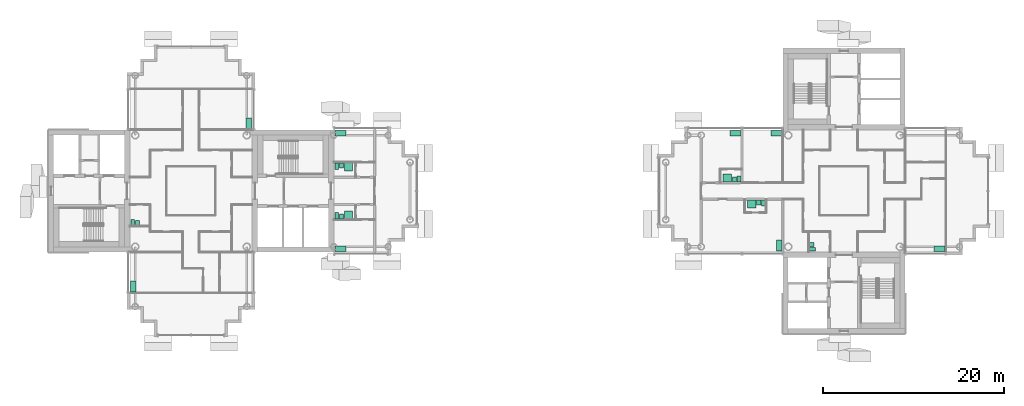
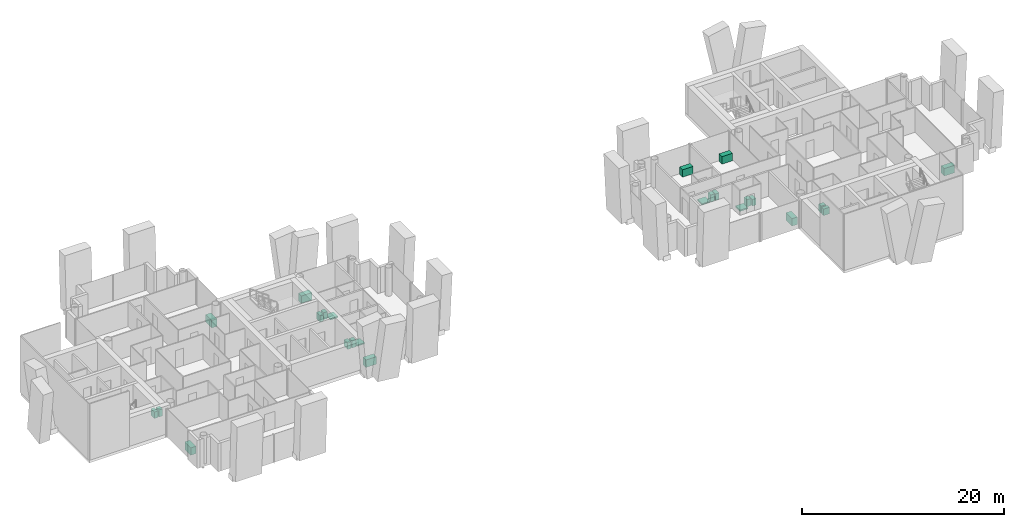
# One storey, part 18 of 18: 24 sanitary terminals.
"""IFC4 building model written with IfcOpenShell, lengths in metres."""

from ifc_helpers import new_model, si_unit, direction, frame, origin, origin_2d, place, context, subcontext, project, spatial, rectangle, extrude, material, type_object, element, save


model = new_model("IFC4")

# Units and contexts
model_context = context("Model", 3, precision=1e-05, world=origin(), true_north=direction((0.0, 1.0)))
body_context = subcontext(model_context, "Body", "Model", "MODEL_VIEW")
ifc_project = project(units=[si_unit("LENGTHUNIT", "METRE"), si_unit("AREAUNIT", "SQUARE_METRE"), si_unit("VOLUMEUNIT", "CUBIC_METRE"), si_unit("PLANEANGLEUNIT", "RADIAN"), si_unit("MASSUNIT", "GRAM", prefix="KILO")], contexts=[model_context])

# Site, building, storey
site_placement = place(None, origin())
site = spatial("IfcSite", under=ifc_project, at=site_placement, CompositionType="ELEMENT")
building_placement = place(site_placement, origin())
building = spatial("IfcBuilding", under=site, at=building_placement, Name="Ipe Terrace Towers", CompositionType="ELEMENT")
storey_placement = place(building_placement, frame((0.0, 0.0, 209.60009765625)))
storey = spatial("IfcBuildingStorey", under=building, at=storey_placement, Name="L58", CompositionType="ELEMENT", Elevation=209.60009765625)

# Sanitary terminals
ifc_material_1 = material(Name="Stainless sink unit", Category="metal")
sanitary_terminal_type_1 = type_object("IfcSanitaryTerminalType", Name="Kitchen sink unit", PredefinedType="SINK", material=ifc_material_1)
for number, where, z_axis, x_axis, name in (
    (1, (-29.6201171875, 7.469970703125, 0.0), (0.0, 0.0, 1.0), (0.0, -1.0, 0.0), "Kitchen sink unit"),
    (2, (-42.3798828125, -10.530029296875, 0.0), (0.0, 0.0, 1.0), (0.0, 1.0, 0.0), "Kitchen sink unit"),
    (3, (-19.530029296875, 6.3798828125, 0.0), (0.0, 0.0, 1.0), (1.0, 0.0, 0.0), "Kitchen sink unit"),
    (4, (-19.530029296875, -6.3798828125, 0.0), (0.0, 0.0, 1.0), (-1.0, 0.0, 0.0), "Kitchen sink unit"),
    (5, (28.8798828125, -6.030029296875, 0.0), (0.0, 0.0, 1.0), (0.0, -1.0, 0.0), "Kitchen sink unit"),
    (6, (28.530029296875, 6.3798828125, 0.0), (0.0, 0.0, 1.0), (1.0, 0.0, 0.0), "Kitchen sink unit"),
    (7, (24.030029296875, 6.3798828125, 0.0), (0.0, 0.0, 1.0), (1.0, 0.0, 0.0), "Kitchen sink unit"),
    (8, (46.530029296875, -6.3798828125, 0.0), (0.0, 0.0, 1.0), (-1.0, 0.0, 0.0), "Kitchen sink unit"),
):
    element("IfcSanitaryTerminal", number, at=place(storey_placement, frame(where, z_axis=z_axis, x_axis=x_axis)), inside=storey, type_object=sanitary_terminal_type_1, Name=name, PredefinedType="SINK", context=body_context, shape_type="SweptSolid", body=[
        extrude(rectangle(XDim=1.199951171875, YDim=0.60009765625, at=origin_2d()), origin(), (0.0, 0.0, 1.0), 0.89990234375),
    ])
ifc_material_2 = material(Name="Acrylic", Category="plastic")
sanitary_terminal_type_2 = type_object("IfcSanitaryTerminalType", Name="Shower tray", PredefinedType="SHOWER", material=ifc_material_2)
for number, where, z_axis, x_axis, name in (
    (9, (-18.6298828125, 2.6298828125, 0.0), (0.0, 0.0, 1.0), (0.0, -1.0, 0.0), "Shower tray"),
    (10, (-18.6298828125, -2.6298828125, 0.0), (0.0, 0.0, 1.0), (0.0, 1.0, 0.0), "Shower tray"),
    (11, (25.830078125, -1.419921875, 0.0), (0.0, 0.0, 1.0), (0.0, -1.0, 0.0), "Shower tray"),
    (12, (23.1298828125, 1.419921875, 0.0), (0.0, 0.0, 1.0), (0.0, 1.0, 0.0), "Shower tray"),
):
    element("IfcSanitaryTerminal", number, at=place(storey_placement, frame(where, z_axis=z_axis, x_axis=x_axis)), inside=storey, type_object=sanitary_terminal_type_2, Name=name, PredefinedType="SHOWER", context=body_context, shape_type="SweptSolid", body=[
        extrude(rectangle(XDim=0.89990234375, YDim=0.89990234375, at=origin_2d()), origin(), (0.0, 0.0, 1.0), 0.14990234375),
    ])
ifc_material_3 = material(Name="Vitreous china", Category="ceramic")
sanitary_terminal_type_3 = type_object("IfcSanitaryTerminalType", Name="Wash basin", PredefinedType="WASHHANDBASIN", material=ifc_material_3)
for number, where, z_axis, x_axis, name in (
    (13, (-41.905029296875, -3.554931640625, -0.000244140625), (0.0, 0.0, 1.0), (0.0, 1.0, 0.0), "Wash basin"),
    (14, (-19.405029296875, 2.804931640625, -0.000244140625), (0.0, 0.0, 1.0), (0.0, -1.0, 0.0), "Wash basin"),
    (15, (-19.405029296875, -2.804931640625, -0.000244140625), (0.0, 0.0, 1.0), (0.0, 1.0, 0.0), "Wash basin"),
    (16, (32.445068359375, -5.905029296875, -0.000244140625), (0.0, 0.0, 1.0), (1.0, 0.0, 0.0), "Wash basin"),
    (17, (26.60498046875, -1.2451171875, -0.000244140625), (0.0, 0.0, 1.0), (0.0, -1.0, 0.0), "Wash basin"),
    (18, (23.905029296875, 1.2451171875, -0.000244140625), (0.0, 0.0, 1.0), (0.0, 1.0, 0.0), "Wash basin"),
):
    element("IfcSanitaryTerminal", number, at=place(storey_placement, frame(where, z_axis=z_axis, x_axis=x_axis)), inside=storey, type_object=sanitary_terminal_type_3, Name=name, PredefinedType="WASHHANDBASIN", context=body_context, shape_type="SweptSolid", body=[
        extrude(rectangle(XDim=0.550048828125, YDim=0.449951171875, at=origin_2d()), origin(), (0.0, 0.0, 1.0), 0.85009765625),
    ])
ifc_material_4 = material(Name="Vitreous china", Category="ceramic")
sanitary_terminal_type_4 = type_object("IfcSanitaryTerminalType", Name="Water closet", PredefinedType="TOILETPAN", material=ifc_material_4)
for number, where, z_axis, x_axis, name in (
    (19, (-42.429931640625, -3.47998046875, 0.0), (0.0, 0.0, 1.0), (0.0, 1.0, 0.0), "Water closet"),
    (20, (-19.929931640625, 2.72998046875, 0.0), (0.0, 0.0, 1.0), (0.0, -1.0, 0.0), "Water closet"),
    (21, (-19.929931640625, -2.72998046875, 0.0), (0.0, 0.0, 1.0), (0.0, 1.0, 0.0), "Water closet"),
    (22, (32.52001953125, -6.429931640625, 0.0), (0.0, 0.0, 1.0), (1.0, 0.0, 0.0), "Water closet"),
    (23, (27.1298828125, -1.320068359375, 0.0), (0.0, 0.0, 1.0), (0.0, -1.0, 0.0), "Water closet"),
    (24, (24.429931640625, 1.320068359375, 0.0), (0.0, 0.0, 1.0), (0.0, 1.0, 0.0), "Water closet"),
):
    element("IfcSanitaryTerminal", number, at=place(storey_placement, frame(where, z_axis=z_axis, x_axis=x_axis)), inside=storey, type_object=sanitary_terminal_type_4, Name=name, PredefinedType="TOILETPAN", context=body_context, shape_type="SweptSolid", body=[
        extrude(rectangle(XDim=0.699951171875, YDim=0.39990234375, at=origin_2d()), origin(), (0.0, 0.0, 1.0), 0.780029296875),
    ])

save(model, "model.ifc")
